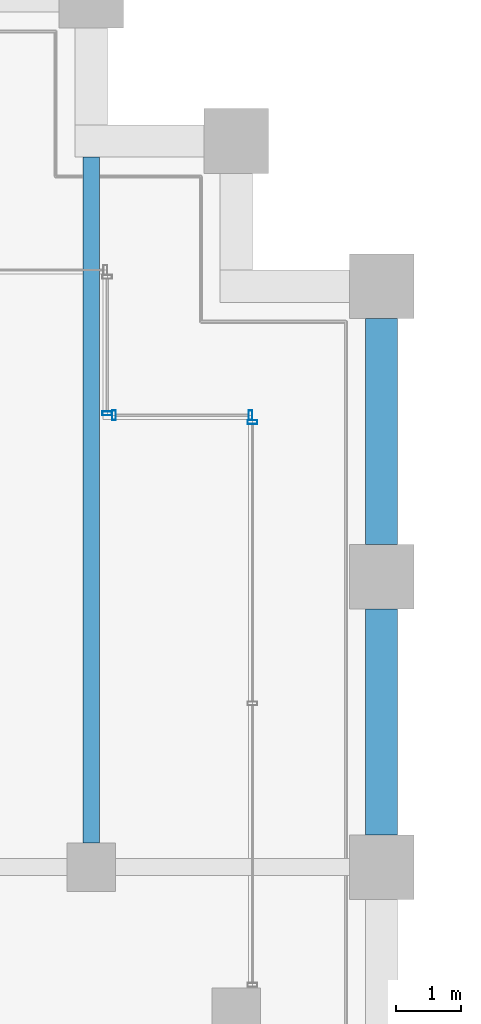
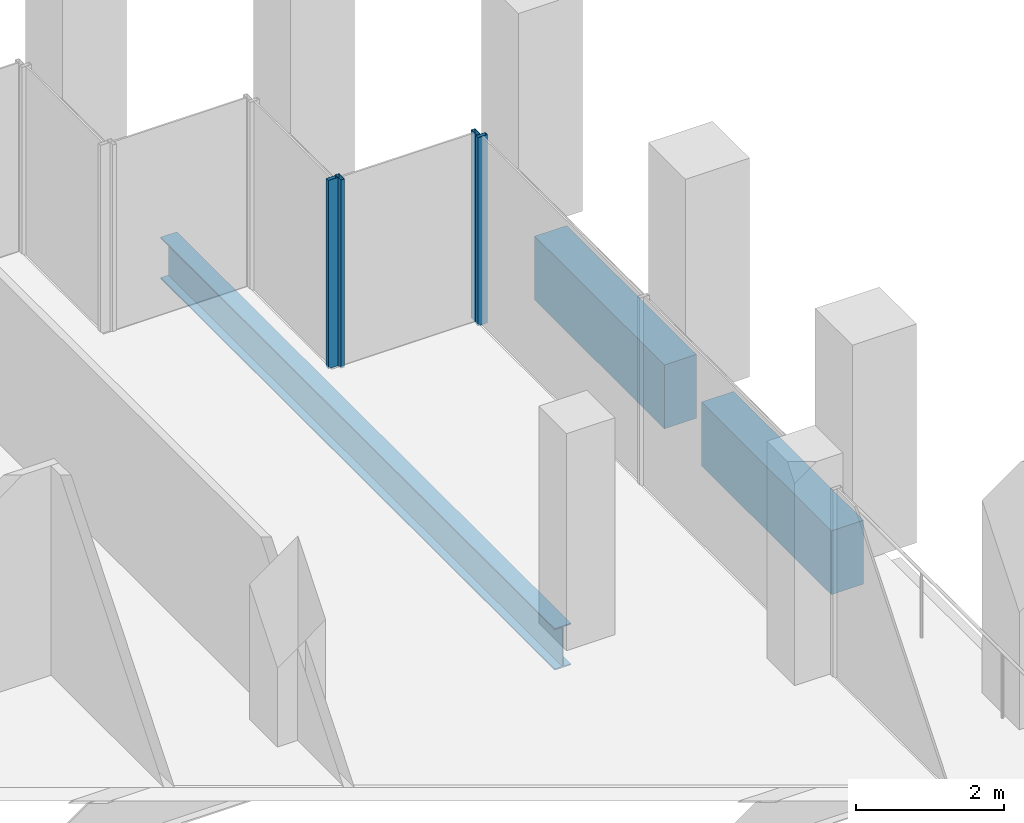
# One storey, part 25 of 46: 4 members, 3 beams, 3 elements without a shape of their own.
"""IFC4 building model written with IfcOpenShell, lengths in metres."""

import ifcopenshell
import ifcopenshell.guid

model = None  # the IFC model being written
_history = None  # IfcOwnerHistory: only IFC2X3 demands one
_inside = {}  # id of a spatial element -> (the spatial element, [elements in it])
_under = {}  # id of a project, library or spatial element -> (it, [spatial elements below it])
_declared = {}  # id of a project -> (the project, [libraries it declares])
_typed = {}  # id of a type object -> (the type object, [elements of that type])
_made_of = {}  # id of a material, layer set ... -> (it, [elements and type objects made of it])


def new_model(schema):
    """Start an empty IFC model of exactly this schema.

    Asked for "IFC4X3", IfcOpenShell would pick the latest addendum, in which some entities
    have other attributes; the version numbers below select the first issue.
    IFC2X3 requires an IfcOwnerHistory on every rooted entity: one is made here for all.
    """
    global model, _history
    if schema == "IFC4X3":
        model = ifcopenshell.file(schema_version=(4, 3, 0, 0))
    else:
        model = ifcopenshell.file(schema=schema)
    _inside.clear()
    _under.clear()
    _declared.clear()
    _typed.clear()
    _made_of.clear()
    _history = None
    if model.schema == "IFC2X3":
        org = make("IfcOrganization", Name="unknown")
        user = make(
            "IfcPersonAndOrganization",
            ThePerson=make("IfcPerson", FamilyName="unknown"),
            TheOrganization=org,
        )
        app = make(
            "IfcApplication",
            ApplicationDeveloper=org,
            Version="unknown",
            ApplicationFullName="unknown",
            ApplicationIdentifier="unknown",
        )
        _history = make(
            "IfcOwnerHistory",
            OwningUser=user,
            OwningApplication=app,
            ChangeAction="ADDED",
            CreationDate=0,
        )
    return model


def make(cls, **values):
    """One entity of the class cls with the attributes given. An attribute that is None is left unset."""
    return model.create_entity(
        cls, **{name: value for name, value in values.items() if value is not None}
    )


def rooted(cls, **values):
    """An entity with a GlobalId (a new one), such as an element, a storey or a relation."""
    return make(cls, GlobalId=ifcopenshell.guid.new(), OwnerHistory=_history, **values)


def si_unit(unit_type, name, prefix=None):
    """IfcSIUnit, for example si_unit("LENGTHUNIT", "METRE", prefix="MILLI")."""
    return make("IfcSIUnit", UnitType=unit_type, Prefix=prefix, Name=name)


def assignment(units):
    """IfcUnitAssignment: the units of a project."""
    return None if units is None else make("IfcUnitAssignment", Units=units)


def point(xyz):
    """IfcCartesianPoint."""
    return None if xyz is None else make("IfcCartesianPoint", Coordinates=xyz)


def direction(xyz):
    """IfcDirection."""
    return None if xyz is None else make("IfcDirection", DirectionRatios=xyz)


def frame(location, z_axis=None, x_axis=None):
    """IfcAxis2Placement3D, a coordinate frame: its origin and axes. An axis left out is left unset."""
    return make(
        "IfcAxis2Placement3D",
        Location=point(location),
        Axis=direction(z_axis),
        RefDirection=direction(x_axis),
    )


def frame_2d(location, x_axis=None):
    """IfcAxis2Placement2D, a coordinate frame in the plane: its origin and x axis."""
    return make(
        "IfcAxis2Placement2D", Location=point(location), RefDirection=direction(x_axis)
    )


def origin():
    """The frame at (0, 0, 0) with its axes left unset."""
    return frame((0.0, 0.0, 0.0))


def origin_2d():
    """The frame at (0, 0) in the plane with its x axis left unset."""
    return frame_2d((0.0, 0.0))


def place(relative_to, where):
    """IfcLocalPlacement: puts the frame where relative to a parent placement (None: the world)."""
    return make(
        "IfcLocalPlacement", PlacementRelTo=relative_to, RelativePlacement=where
    )


def context(
    kind, dimensions, precision=None, world=None, true_north=None, identifier=None
):
    """IfcGeometricRepresentationContext, for example the 3D "Model" context."""
    return make(
        "IfcGeometricRepresentationContext",
        ContextIdentifier=identifier,
        ContextType=kind,
        CoordinateSpaceDimension=dimensions,
        Precision=precision,
        WorldCoordinateSystem=world,
        TrueNorth=true_north,
    )


def subcontext(parent, identifier, kind, view, scale=None):
    """IfcGeometricRepresentationSubContext, for example "Body" below "Model"."""
    return make(
        "IfcGeometricRepresentationSubContext",
        ContextIdentifier=identifier,
        ContextType=kind,
        ParentContext=parent,
        TargetScale=scale,
        TargetView=view,
    )


def project(units=None, contexts=None):
    """IfcProject with its units and contexts."""
    return rooted(
        "IfcProject",
        Name="project",
        RepresentationContexts=contexts,
        UnitsInContext=assignment(units),
    )


def spatial(cls, under=None, at=None, **own):
    """A site, building, storey or space (cls), placed at a placement, below another one or the project."""
    s = rooted(cls, ObjectPlacement=at, **own)
    if under is not None:
        _under.setdefault(under.id(), (under, []))[1].append(s)
    return s


def profile(cls, at=None, kind="AREA", **sizes):
    """A parametric profile (cls). Its sizes go by their IFC names, for example OverallWidth=200.0."""
    return make(cls, ProfileType=kind, Position=at, **sizes)


def rectangle(**sizes):
    """IfcRectangleProfileDef."""
    return profile("IfcRectangleProfileDef", **sizes)


def hollow_rectangle(**sizes):
    """IfcRectangleHollowProfileDef."""
    return profile("IfcRectangleHollowProfileDef", **sizes)


def i_section(**sizes):
    """IfcIShapeProfileDef."""
    return profile("IfcIShapeProfileDef", **sizes)


def extrude(swept, where, along, depth):
    """IfcExtrudedAreaSolid: the profile swept, set in the frame where, extruded along a direction by depth."""
    return make(
        "IfcExtrudedAreaSolid",
        SweptArea=swept,
        Position=where,
        ExtrudedDirection=direction(along),
        Depth=depth,
    )


def shape(context_of_items, identifier, shape_type, items):
    """IfcShapeRepresentation: the items that make up one representation, for example the "Body"."""
    return make(
        "IfcShapeRepresentation",
        ContextOfItems=context_of_items,
        RepresentationIdentifier=identifier,
        RepresentationType=shape_type,
        Items=items,
    )


def material(Name=None, Category=None):
    """IfcMaterial."""
    return make("IfcMaterial", Name=Name, Category=Category)


def material_profile(
    of_material, cross_section, Name=None, Category=None, Priority=None
):
    """IfcMaterialProfile: a cross section and its material."""
    return make(
        "IfcMaterialProfile",
        Name=Name,
        Material=of_material,
        Profile=cross_section,
        Priority=Priority,
        Category=Category,
    )


def profile_set(profiles, Name=None, composite=None):
    """IfcMaterialProfileSet."""
    return make(
        "IfcMaterialProfileSet",
        Name=Name,
        MaterialProfiles=profiles,
        CompositeProfile=composite,
    )


def made_of(thing, what):
    """Note that an element or type object is made of a material, layer set ...; save() writes the relation."""
    if what is not None:
        _made_of.setdefault(what.id(), (what, []))[1].append(thing)
    return thing


def type_object(cls, material=None, **own):
    """A type object (cls), such as IfcWallType, which elements share."""
    return made_of(rooted(cls, **own), material)


def element(
    cls,
    number,
    at=None,
    inside=None,
    cuts=None,
    type_object=None,
    material=None,
    context=None,
    identifier="Body",
    shape_type=None,
    held_by="IfcProductDefinitionShape",
    body=None,
    shapes=None,
    **own,
):
    """One element of the class cls, such as IfcWall. Its Tag is "e" and its number.

    at: its placement. inside: the storey or other place that contains it. cuts: it is an
    opening in that element (IfcRelVoidsElement). A single representation is given by context,
    identifier, shape_type and body (its items); several are given by shapes. held_by: the class
    of the entity that holds the representations. save() writes the other relations.
    """
    e = rooted(cls, Tag="e%d" % number, ObjectPlacement=at, **own)
    if body is not None:
        shapes = [shape(context, identifier, shape_type, body)]
    if shapes is not None:
        e.Representation = make(held_by, Representations=shapes)
    if inside is not None:
        _inside.setdefault(inside.id(), (inside, []))[1].append(e)
    if cuts is not None:
        rooted(
            "IfcRelVoidsElement", RelatingBuildingElement=cuts, RelatedOpeningElement=e
        )
    if type_object is not None:
        _typed.setdefault(type_object.id(), (type_object, []))[1].append(e)
    return made_of(e, material)


def aggregate(whole, parts):
    """IfcRelAggregates: a whole, such as a stair, and the parts it consists of."""
    return rooted("IfcRelAggregates", RelatingObject=whole, RelatedObjects=parts)


def save(model, path):
    """Write the relations noted so far, then the file.

    IfcRelAggregates (storeys below a building ...), IfcRelContainedInSpatialStructure (elements
    in a storey), IfcRelDefinesByType, IfcRelAssociatesMaterial and IfcRelDeclares: one each for
    every whole, place, type object, material and project.
    """
    for whole, parts in _under.values():
        aggregate(whole, parts)
    for where, things in _inside.values():
        rooted(
            "IfcRelContainedInSpatialStructure",
            RelatedElements=things,
            RelatingStructure=where,
        )
    for kind, things in _typed.values():
        rooted("IfcRelDefinesByType", RelatedObjects=things, RelatingType=kind)
    for what, things in _made_of.values():
        rooted("IfcRelAssociatesMaterial", RelatedObjects=things, RelatingMaterial=what)
    for by, libraries in _declared.values():
        rooted("IfcRelDeclares", RelatingContext=by, RelatedDefinitions=libraries)
    model.write(path)


model = new_model("IFC4")

# Units and contexts
model_context = context("Model", 3, precision=1e-05, world=origin(), true_north=direction((0.0, 1.0)))
body_context = subcontext(model_context, "Body", "Model", "MODEL_VIEW")
ifc_project = project(units=[si_unit("LENGTHUNIT", "METRE"), si_unit("AREAUNIT", "SQUARE_METRE"), si_unit("VOLUMEUNIT", "CUBIC_METRE"), si_unit("PLANEANGLEUNIT", "RADIAN"), si_unit("MASSUNIT", "GRAM", prefix="KILO")], contexts=[model_context])

# Site, building, storey
site_placement = place(None, origin())
site = spatial("IfcSite", under=ifc_project, at=site_placement, CompositionType="ELEMENT")
building_placement = place(site_placement, origin())
building = spatial("IfcBuilding", under=site, at=building_placement, Name="Altepetl Exchange Towers", CompositionType="ELEMENT")
storey_placement = place(building_placement, frame((0.0, 0.0, 102.800048828125)))
storey = spatial("IfcBuildingStorey", under=building, at=storey_placement, Name="L25", CompositionType="ELEMENT", Elevation=102.800048828125)

# Beam
ifc_material_1 = material(Name="Steel S355", Category="steel")
ifc_material_profile_1 = material_profile(ifc_material_1, i_section(OverallWidth=0.25390625, OverallDepth=0.68408203125, WebThickness=0.012451171875, FlangeThickness=0.018798828125, at=origin_2d()), Name="W27X94")
ifc_profile_set_1 = profile_set([ifc_material_profile_1], Name="Steel S355")
beam_type_1 = type_object("IfcBeamType", Name="Floor beam W27X94", PredefinedType="BEAM", material=ifc_profile_set_1)
beam_placement = place(storey_placement, frame((67.5, 58.875, -0.491943359375), z_axis=(0.0, 1.0, 0.0), x_axis=(-1.0, 0.0, 0.0)))
element("IfcBeam", 1, at=beam_placement, inside=storey, type_object=beam_type_1, Name="bm:A:L25:005", PredefinedType="BEAM", context=body_context, shape_type="SweptSolid", body=[
    extrude(i_section(OverallWidth=0.25390625, OverallDepth=0.68408203125, WebThickness=0.012451171875, FlangeThickness=0.018798828125, at=origin_2d()), origin(), (0.0, 0.0, 1.0), 10.625),
])

# Curtain wall, member
ifc_material_2 = material(Name="Aluminium 6063-T6 glazing", Category="aluminium")
curtain_wall_type = type_object("IfcCurtainWallType", Name="Loggia glazing system", PredefinedType="NOTDEFINED", material=ifc_material_2)
curtain_wall_1_placement = place(storey_placement, origin())
curtain_wall_1 = element("IfcCurtainWall", 2, at=curtain_wall_1_placement, inside=storey, type_object=curtain_wall_type, Name="CW1 run", PredefinedType="NOTDEFINED")
ifc_material_3 = material(Name="Aluminium 6063-T6", Category="aluminium")
ifc_material_profile_2 = material_profile(ifc_material_3, hollow_rectangle(XDim=0.06005859375, YDim=0.14990234375, WallThickness=0.0029296875, at=origin_2d()), Name="Mullion 60x150 aluminium")
ifc_profile_set_2 = profile_set([ifc_material_profile_2], Name="Aluminium 6063-T6")
member_type = type_object("IfcMemberType", Name="Mullion 60x150 aluminium", PredefinedType="MULLION", material=ifc_profile_set_2)
member_1_placement = place(storey_placement, frame((70.0, 65.39501953125, 0.0), z_axis=(0.0, 0.0, 1.0), x_axis=(0.0, 1.0, 0.0)))
member_1 = element("IfcMember", 3, at=member_1_placement, type_object=member_type, Name="MU1 mullion", PredefinedType="MULLION", context=body_context, shape_type="SweptSolid", body=[
    extrude(hollow_rectangle(XDim=0.06005859375, YDim=0.14990234375, WallThickness=0.0029296875, at=origin_2d()), origin(), (0.0, 0.0, 1.0), 3.099853515625),
])
aggregate(curtain_wall_1, [member_1])

# Curtain wall, members
curtain_wall_2_placement = place(storey_placement, origin())
curtain_wall_2 = element("IfcCurtainWall", 4, at=curtain_wall_2_placement, inside=storey, type_object=curtain_wall_type, Name="CW1 run", PredefinedType="NOTDEFINED")
member_2_placement = place(storey_placement, frame((69.969970703125, 65.5, 0.0), z_axis=(0.0, 0.0, 1.0), x_axis=(-1.0, 0.0, 0.0)))
member_2 = element("IfcMember", 5, at=member_2_placement, type_object=member_type, Name="MU1 mullion", PredefinedType="MULLION", context=body_context, shape_type="SweptSolid", body=[
    extrude(hollow_rectangle(XDim=0.06005859375, YDim=0.14990234375, WallThickness=0.0029296875, at=origin_2d()), origin(), (0.0, 0.0, 1.0), 3.099853515625),
])
member_3_placement = place(storey_placement, frame((67.85498046875, 65.5, 0.0), z_axis=(0.0, 0.0, 1.0), x_axis=(-1.0, 0.0, 0.0)))
member_3 = element("IfcMember", 6, at=member_3_placement, type_object=member_type, Name="MU1 mullion", PredefinedType="MULLION", context=body_context, shape_type="SweptSolid", body=[
    extrude(hollow_rectangle(XDim=0.06005859375, YDim=0.14990234375, WallThickness=0.0029296875, at=origin_2d()), origin(), (0.0, 0.0, 1.0), 3.099853515625),
])
aggregate(curtain_wall_2, [member_2, member_3])

# Curtain wall, member
curtain_wall_3_placement = place(storey_placement, origin())
curtain_wall_3 = element("IfcCurtainWall", 7, at=curtain_wall_3_placement, inside=storey, type_object=curtain_wall_type, Name="CW1 run", PredefinedType="NOTDEFINED")
member_4_placement = place(storey_placement, frame((67.75, 65.530029296875, 0.0), z_axis=(0.0, 0.0, 1.0), x_axis=(0.0, 1.0, 0.0)))
member_4 = element("IfcMember", 8, at=member_4_placement, type_object=member_type, Name="MU1 mullion", PredefinedType="MULLION", context=body_context, shape_type="SweptSolid", body=[
    extrude(hollow_rectangle(XDim=0.06005859375, YDim=0.14990234375, WallThickness=0.0029296875, at=origin_2d()), origin(), (0.0, 0.0, 1.0), 3.099853515625),
])
aggregate(curtain_wall_3, [member_4])

# Beams
ifc_material_4 = material(Name="Concrete C50/60 precast with cantera rosa facing", Category="concrete")
ifc_material_profile_3 = material_profile(ifc_material_4, rectangle(XDim=0.5, YDim=1.050048828125, at=origin_2d()), Name="500 x 1050")
ifc_profile_set_3 = profile_set([ifc_material_profile_3], Name="Concrete C50/60 precast with cantera rosa facing")
beam_type_2 = type_object("IfcBeamType", Name="Spandrel beam 500x1050 cantera rosa", PredefinedType="SPANDREL", material=ifc_profile_set_3)
for number, where, z_axis, x_axis, name in (
    (9, (72.0, 59.0, -0.675048828125), (0.0, 1.0, 0.0), (-1.0, 0.0, 0.0), "sp:A:L25:018"),
    (10, (72.0, 63.5, -0.675048828125), (0.0, 1.0, 0.0), (-1.0, 0.0, 0.0), "sp:A:L25:019"),
):
    element("IfcBeam", number, at=place(storey_placement, frame(where, z_axis=z_axis, x_axis=x_axis)), inside=storey, type_object=beam_type_2, Name=name, PredefinedType="SPANDREL", context=body_context, shape_type="SweptSolid", body=[
        extrude(rectangle(XDim=0.5, YDim=1.050048828125, at=origin_2d()), origin(), (0.0, 0.0, 1.0), 3.5),
    ])

save(model, "model.ifc")
